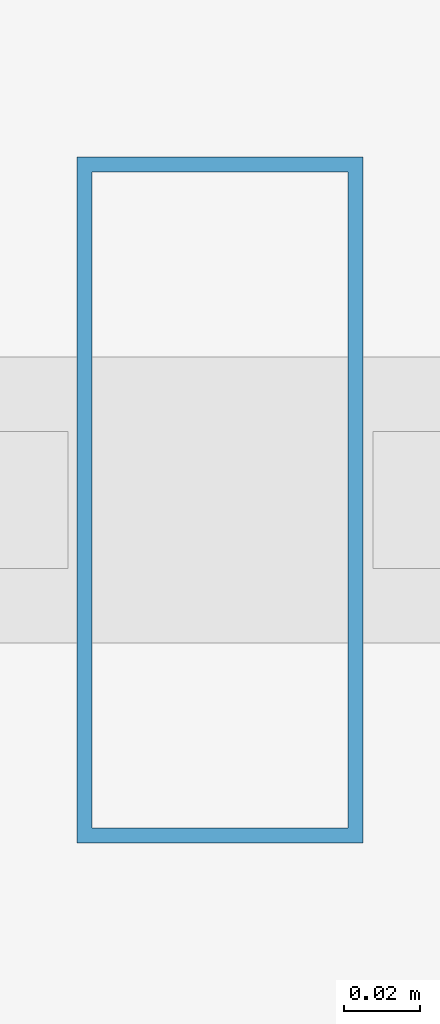
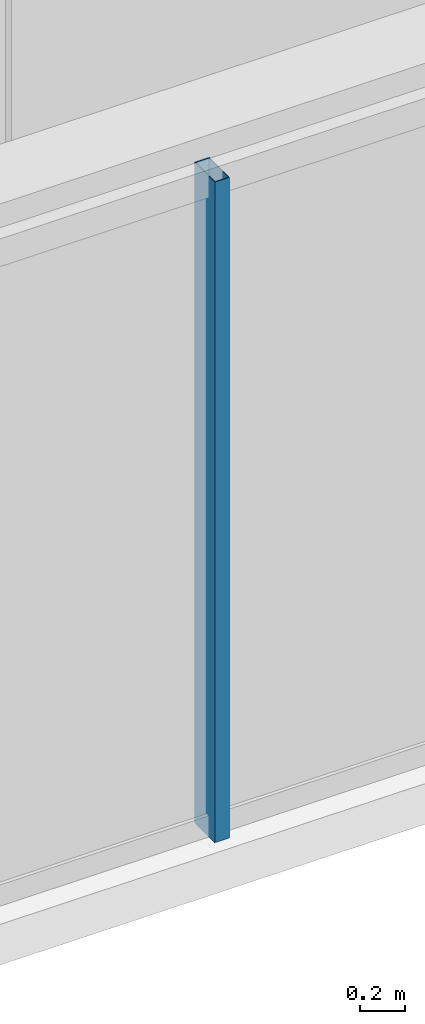
# One storey, part 3 of 35: 1 member, 1 element without a shape of its own.
"""IFC4 building model written with IfcOpenShell, lengths in metres."""

from ifc_helpers import new_model, si_unit, direction, frame, origin, origin_2d, place, context, subcontext, project, spatial, hollow_rectangle, extrude, material, layer, layer_set, material_profile, profile_set, type_object, element, aggregate, save


model = new_model("IFC4")

# Units and contexts
model_context = context("Model", 3, precision=1e-05, world=origin(), true_north=direction((0.0, 1.0)))
body_context = subcontext(model_context, "Body", "Model", "MODEL_VIEW")
ifc_project = project(units=[si_unit("LENGTHUNIT", "METRE"), si_unit("AREAUNIT", "SQUARE_METRE"), si_unit("VOLUMEUNIT", "CUBIC_METRE"), si_unit("PLANEANGLEUNIT", "RADIAN"), si_unit("MASSUNIT", "GRAM", prefix="KILO")], contexts=[model_context])

# Site, building, storey
site_placement = place(None, origin())
site = spatial("IfcSite", under=ifc_project, at=site_placement, CompositionType="ELEMENT")
building_placement = place(site_placement, origin())
building = spatial("IfcBuilding", under=site, at=building_placement, Name="Ndaravel Arena Tower", CompositionType="ELEMENT")
storey_placement = place(building_placement, frame((0.0, 0.0, 172.60009765625)))
storey = spatial("IfcBuildingStorey", under=building, at=storey_placement, Name="L41", CompositionType="ELEMENT", Elevation=172.60009765625)

# Curtain wall, member
ifc_material_1 = material(Name="Aluminium", Category="aluminium")
ifc_layer = layer(ifc_material_1, 0.179931640625)
ifc_layer_set = layer_set([ifc_layer], Name="Aluminium")
curtain_wall_type = type_object("IfcCurtainWallType", Name="CW-SYS-03", PredefinedType="NOTDEFINED", material=ifc_layer_set)
curtain_wall_placement = place(storey_placement, origin())
curtain_wall = element("IfcCurtainWall", 1, at=curtain_wall_placement, inside=storey, type_object=curtain_wall_type, Name="L41 Faceted Crystal Curtain Wall CW-L41-E01", PredefinedType="NOTDEFINED")
ifc_material_2 = material(Name="Aluminium", Category="aluminium")
ifc_material_profile = material_profile(ifc_material_2, hollow_rectangle(XDim=0.074951171875, YDim=0.179931640625, WallThickness=0.00390625, at=origin_2d()), Name="CW MULLION 75x180x4")
ifc_profile_set = profile_set([ifc_material_profile], Name="Aluminium")
member_type = type_object("IfcMemberType", Name="MEM-CW-MUL180", PredefinedType="MULLION", material=ifc_profile_set)
member_placement = place(storey_placement, frame((31.609130859375, 5.159912109375, 0.0), z_axis=(0.0, 0.0, 1.0), x_axis=(1.0, 0.0, 0.0)))
member = element("IfcMember", 2, at=member_placement, type_object=member_type, Name="CW-L41-E01 Mullion 02", PredefinedType="MULLION", context=body_context, shape_type="SweptSolid", body=[
    extrude(hollow_rectangle(XDim=0.074951171875, YDim=0.179931640625, WallThickness=0.00390625, at=origin_2d()), origin(), (0.0, 0.0, 1.0), 3.579833984375),
])
aggregate(curtain_wall, [member])

save(model, "model.ifc")
